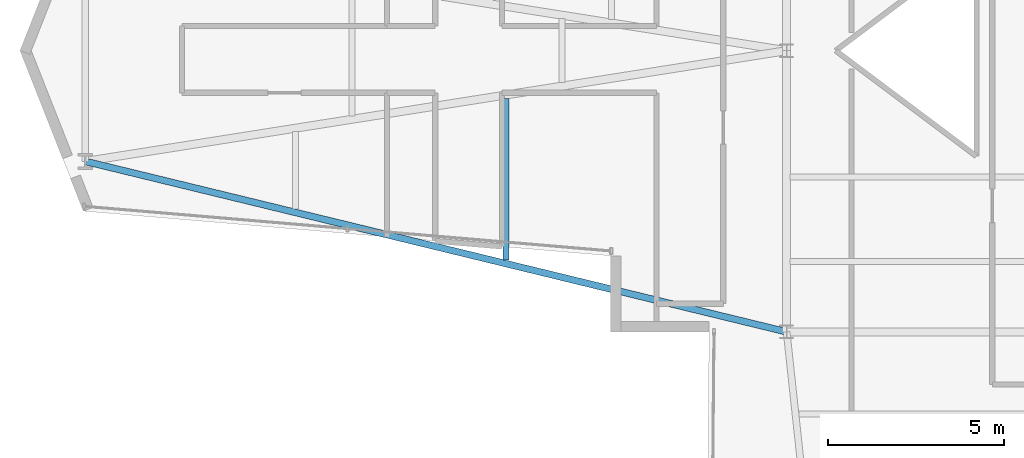
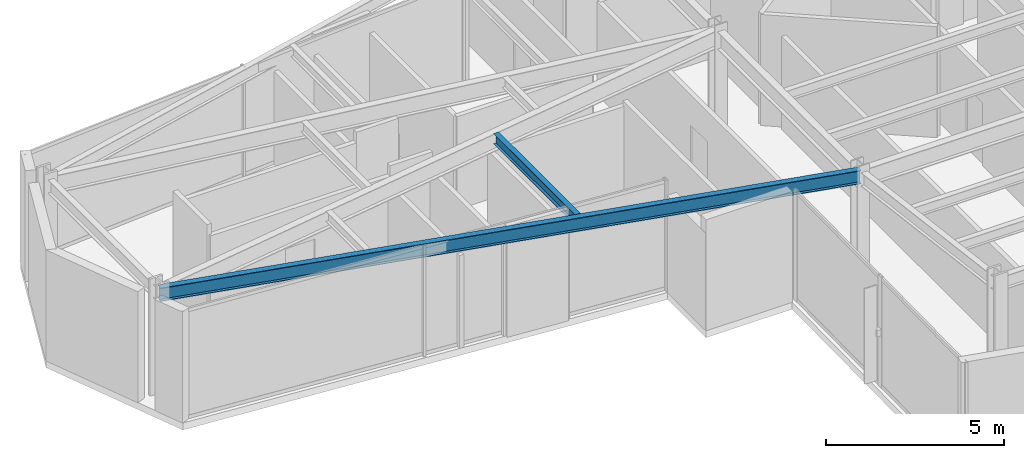
# One storey, part 3 of 25: 2 beams.
"""IFC4 building model written with IfcOpenShell, lengths in metres."""

from ifc_helpers import new_model, si_unit, direction, frame, origin, origin_2d, place, context, subcontext, project, spatial, i_section, extrude, material, material_profile, profile_set, type_object, element, save


model = new_model("IFC4")

# Units and contexts
model_context = context("Model", 3, precision=1e-05, world=origin(), true_north=direction((0.0, 1.0)))
body_context = subcontext(model_context, "Body", "Model", "MODEL_VIEW")
ifc_project = project(units=[si_unit("LENGTHUNIT", "METRE"), si_unit("AREAUNIT", "SQUARE_METRE"), si_unit("VOLUMEUNIT", "CUBIC_METRE"), si_unit("PLANEANGLEUNIT", "RADIAN"), si_unit("MASSUNIT", "GRAM", prefix="KILO")], contexts=[model_context])

# Site, building, storey
site_placement = place(None, origin())
site = spatial("IfcSite", under=ifc_project, at=site_placement, CompositionType="ELEMENT")
building_placement = place(site_placement, origin())
building = spatial("IfcBuilding", under=site, at=building_placement, Name="Veymaron Broadcast Tower", CompositionType="ELEMENT")
storey_placement = place(building_placement, frame((0.0, 0.0, 141.14990234375)))
storey = spatial("IfcBuildingStorey", under=building, at=storey_placement, Name="L32", CompositionType="ELEMENT", Elevation=141.14990234375)

# Beams
ifc_material = material(Name="Structural steel ASTM A992 Gr 50", Category="steel")
ifc_material_profile_1 = material_profile(ifc_material, i_section(OverallWidth=0.1708984375, OverallDepth=0.35498046875, WebThickness=0.007080078125, FlangeThickness=0.01171875, at=origin_2d()), Name="W360X51")
ifc_profile_set_1 = profile_set([ifc_material_profile_1], Name="Structural steel ASTM A992 Gr 50")
beam_type_1 = type_object("IfcBeamType", Name="BM-JS2", PredefinedType="JOIST", material=ifc_profile_set_1)
beam_1_placement = place(storey_placement, frame((23.219970703125, 18.0400390625, 3.632568359375), z_axis=(0.0, 1.0, 0.0), x_axis=(-1.0, 0.0, 0.0)))
element("IfcBeam", 1, at=beam_1_placement, inside=storey, type_object=beam_type_1, Name="L32 Arm-A secondary joist 2S", PredefinedType="JOIST", context=body_context, shape_type="SweptSolid", body=[
    extrude(i_section(OverallWidth=0.1708984375, OverallDepth=0.35498046875, WebThickness=0.007080078125, FlangeThickness=0.01171875, at=origin_2d()), origin(), (0.0, 0.0, 1.0), 4.599853515625),
])
ifc_material_profile_2 = material_profile(ifc_material, i_section(OverallWidth=0.19091796875, OverallDepth=0.4599609375, WebThickness=0.010009765625, FlangeThickness=0.01611328125, at=origin_2d()), Name="W460X82")
ifc_profile_set_2 = profile_set([ifc_material_profile_2], Name="Structural steel ASTM A992 Gr 50")
beam_type_2 = type_object("IfcBeamType", Name="BM-SP1", PredefinedType="SPANDREL", material=ifc_profile_set_2)
beam_2_placement = place(storey_placement, frame((11.25, 20.85009765625, 3.580078125), z_axis=(0.971696602386, -0.236232328251, 0.0), x_axis=(0.236232328251, 0.971696602386, 0.0)))
element("IfcBeam", 2, at=beam_2_placement, inside=storey, type_object=beam_type_2, Name="L32 primary structural floor girder", PredefinedType="SPANDREL", context=body_context, shape_type="SweptSolid", body=[
    extrude(i_section(OverallWidth=0.19091796875, OverallDepth=0.4599609375, WebThickness=0.010009765625, FlangeThickness=0.01611328125, at=origin_2d()), origin(), (0.0, 0.0, 1.0), 20.531005859375),
])

save(model, "model.ifc")
